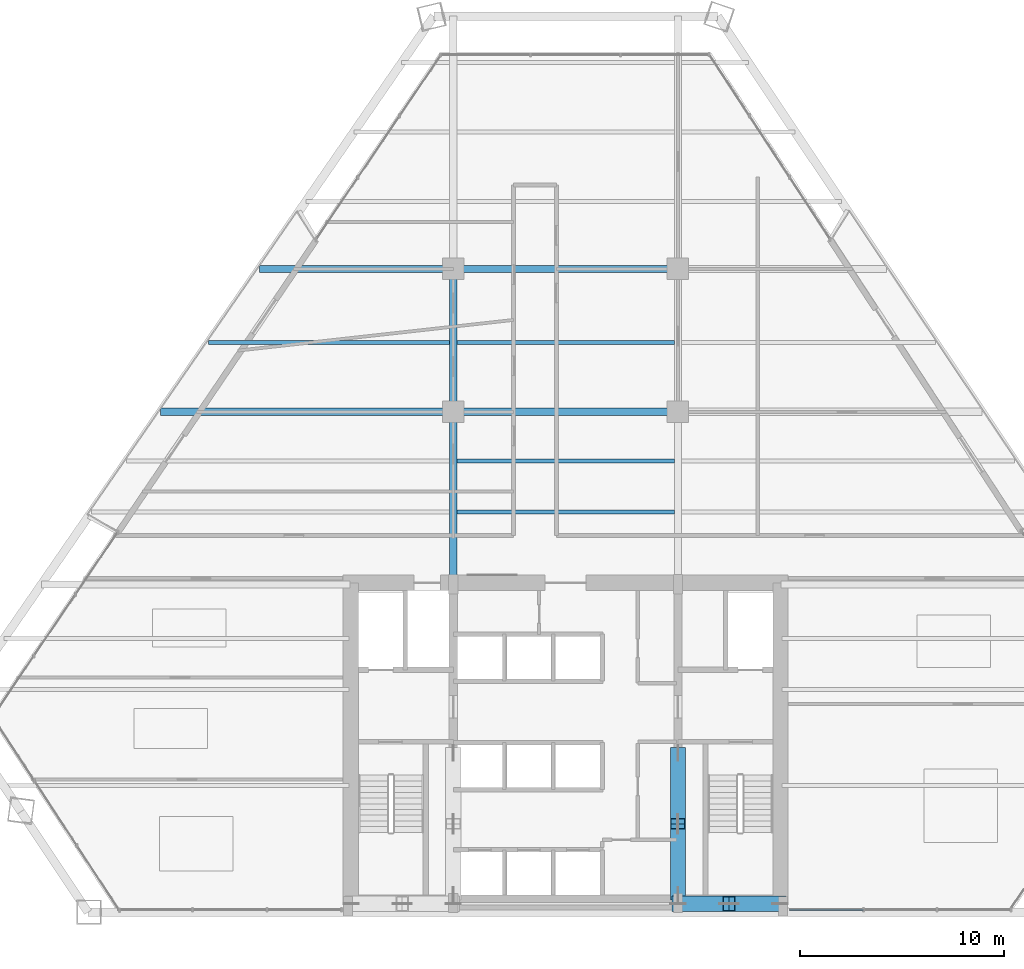
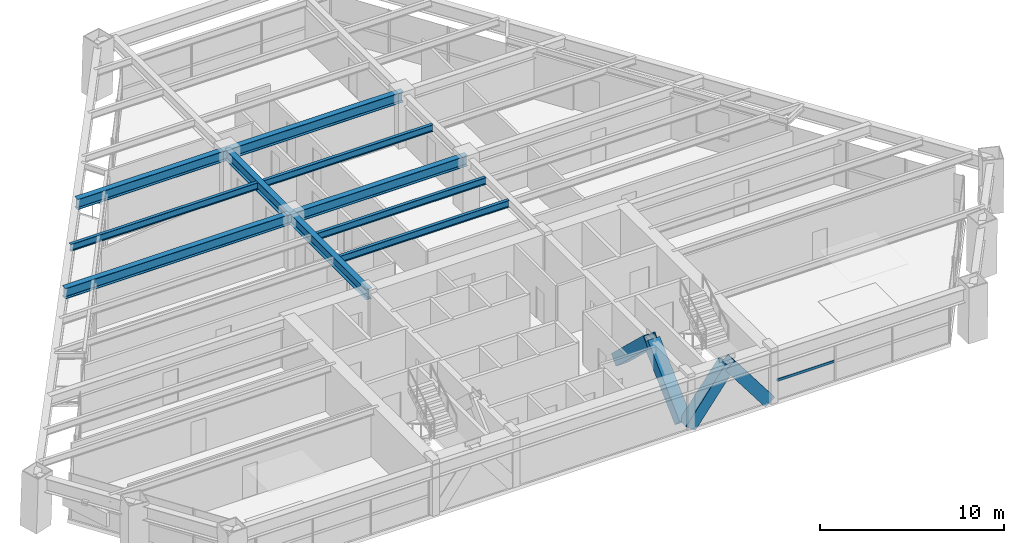
# One storey, part 5 of 14: 10 beams, 5 members, 1 element without a shape of its own.
"""IFC4 building model written with IfcOpenShell, lengths in metres."""

from ifc_helpers import new_model, si_unit, direction, frame, origin, origin_2d, place, context, subcontext, project, spatial, rectangle, hollow_rectangle, i_section, extrude, source, transform, mapped, material, material_profile, profile_set, type_object, type_shapes, element, aggregate, save


model = new_model("IFC4")

# Units and contexts
model_context = context("Model", 3, precision=1e-05, world=origin(), true_north=direction((0.0, 1.0)))
body_context = subcontext(model_context, "Body", "Model", "MODEL_VIEW")
ifc_project = project(units=[si_unit("LENGTHUNIT", "METRE"), si_unit("AREAUNIT", "SQUARE_METRE"), si_unit("VOLUMEUNIT", "CUBIC_METRE"), si_unit("PLANEANGLEUNIT", "RADIAN"), si_unit("MASSUNIT", "GRAM", prefix="KILO")], contexts=[model_context])

# Site, building, storey
site_placement = place(None, origin())
site = spatial("IfcSite", under=ifc_project, at=site_placement, CompositionType="ELEMENT")
building_placement = place(site_placement, origin())
building = spatial("IfcBuilding", under=site, at=building_placement, Name="Varnakhor Terracotta Tower", CompositionType="ELEMENT")
storey_placement = place(building_placement, frame((0.0, 0.0, 76.60009765625)))
storey = spatial("IfcBuildingStorey", under=building, at=storey_placement, Name="L18", CompositionType="ELEMENT", Elevation=76.60009765625)

# Beams
ifc_material_1 = material(Name="Steel S355", Category="steel")
ifc_material_profile_1 = material_profile(ifc_material_1, i_section(OverallWidth=0.35498046875, OverallDepth=0.695068359375, WebThickness=0.014892578125, FlangeThickness=0.02490234375, FilletRadius=0.01806640625, at=origin_2d()), Name="W27X146")
ifc_profile_set_1 = profile_set([ifc_material_profile_1], Name="Steel S355")
beam_type_1 = type_object("IfcBeamType", Name="BM-W27X146", PredefinedType="BEAM", material=ifc_profile_set_1)
shared_shape_1 = source(origin(), body_context, "Body", "SweptSolid", [
    extrude(i_section(OverallWidth=0.35498046875, OverallDepth=0.695068359375, WebThickness=0.014892578125, FlangeThickness=0.02490234375, FilletRadius=0.01806640625, at=origin_2d()), origin(), (0.0, 0.0, 1.0), 8.449951171875),
])
type_shapes(beam_type_1, [shared_shape_1])
beam_1_placement = place(storey_placement, frame((-5.5, 16.050048828125, 3.102294921875), z_axis=(0.0, 1.0, 0.0), x_axis=(-1.0, 0.0, 0.0)))
element("IfcBeam", 1, at=beam_1_placement, inside=storey, type_object=beam_type_1, Name="L18 Primary Girder NS1-W", PredefinedType="BEAM", context=body_context, shape_type="MappedRepresentation", body=[
    mapped(shared_shape_1, transform((0.0, 0.0, 0.0), scale=1.0)),
])
shared_shape_2 = source(origin(), body_context, "Body", "SweptSolid", [
    extrude(i_section(OverallWidth=0.35498046875, OverallDepth=0.695068359375, WebThickness=0.014892578125, FlangeThickness=0.02490234375, FilletRadius=0.01806640625, at=origin_2d()), origin(), (0.0, 0.0, 1.0), 7.0),
])
beam_2_placement = place(storey_placement, frame((-5.5, 24.5, 3.102294921875), z_axis=(0.0, 1.0, 0.0), x_axis=(-1.0, 0.0, 0.0)))
element("IfcBeam", 2, at=beam_2_placement, inside=storey, type_object=beam_type_1, Name="L18 Primary Girder NS2-W", PredefinedType="BEAM", context=body_context, shape_type="MappedRepresentation", body=[
    mapped(shared_shape_2, transform((0.0, 0.0, 0.0), scale=1.0)),
])
shared_shape_3 = source(origin(), body_context, "Body", "SweptSolid", [
    extrude(i_section(OverallWidth=0.35498046875, OverallDepth=0.695068359375, WebThickness=0.014892578125, FlangeThickness=0.02490234375, FilletRadius=0.01806640625, at=origin_2d()), origin(), (0.0, 0.0, 1.0), 11.0),
])
for number, where, z_axis, x_axis, name in (
    (3, (-5.5, 24.5, 3.102294921875), (1.0, 0.0, 0.0), (0.0, 1.0, 0.0), "L18 Primary Girder EW2-2"),
    (4, (-5.5, 31.5, 3.102294921875), (1.0, 0.0, 0.0), (0.0, 1.0, 0.0), "L18 Primary Girder EW3-2"),
):
    element("IfcBeam", number, at=place(storey_placement, frame(where, z_axis=z_axis, x_axis=x_axis)), inside=storey, type_object=beam_type_1, Name=name, PredefinedType="BEAM", context=body_context, shape_type="MappedRepresentation", body=[
        mapped(shared_shape_3, transform((0.0, 0.0, 0.0), scale=1.0)),
    ])
ifc_material_profile_2 = material_profile(ifc_material_1, i_section(OverallWidth=0.19189453125, OverallDepth=0.462890625, WebThickness=0.010498046875, FlangeThickness=0.017578125, FilletRadius=0.01806640625, at=origin_2d()), Name="W18X60")
ifc_profile_set_2 = profile_set([ifc_material_profile_2], Name="Steel S355")
beam_type_2 = type_object("IfcBeamType", Name="JST-W18X60", PredefinedType="JOIST", material=ifc_profile_set_2)
shared_shape_4 = source(origin(), body_context, "Body", "SweptSolid", [
    extrude(i_section(OverallWidth=0.19189453125, OverallDepth=0.462890625, WebThickness=0.010498046875, FlangeThickness=0.017578125, FilletRadius=0.01806640625, at=origin_2d()), origin(), (0.0, 0.0, 1.0), 10.65283203125),
])
for number, where, z_axis, x_axis, name in (
    (5, (-5.326416015625, 19.60009765625, 3.218505859375), (1.0, 0.0, 0.0), (0.0, 1.0, 0.0), "L18 Composite Floor Joist 4-2"),
    (6, (-5.326416015625, 22.10009765625, 3.218505859375), (1.0, 0.0, 0.0), (0.0, 1.0, 0.0), "L18 Composite Floor Joist 5-2"),
    (7, (-5.326416015625, 27.89990234375, 3.218505859375), (1.0, 0.0, 0.0), (0.0, 1.0, 0.0), "L18 Composite Floor Joist 6-2"),
):
    element("IfcBeam", number, at=place(storey_placement, frame(where, z_axis=z_axis, x_axis=x_axis)), inside=storey, type_object=beam_type_2, Name=name, PredefinedType="JOIST", context=body_context, shape_type="MappedRepresentation", body=[
        mapped(shared_shape_4, transform((0.0, 0.0, 0.0), scale=1.0)),
    ])

# Members
ifc_material_2 = material(Name="Steel S460", Category="steel")
ifc_material_profile_3 = material_profile(ifc_material_2, hollow_rectangle(XDim=0.75, YDim=0.75, WallThickness=0.044921875, at=origin_2d()), Name="HSS750X750X45")
ifc_profile_set_3 = profile_set([ifc_material_profile_3], Name="Steel S460")
member_type_1 = type_object("IfcMemberType", Name="MBR-MEGA-750", PredefinedType="BRACE", material=ifc_profile_set_3)
shared_shape_5 = source(origin(), body_context, "Body", "SweptSolid", [
    extrude(hollow_rectangle(XDim=0.75, YDim=0.75, WallThickness=0.044921875, at=origin_2d()), origin(), (0.0, 0.0, 1.0), 4.792236328125),
])
member_1_placement = place(storey_placement, frame((5.5, 7.800048828125, 0.0), z_axis=(0.0, -0.72515968173, 0.688580740359), x_axis=(1.0, 0.0, 0.0)))
element("IfcMember", 8, at=member_1_placement, inside=storey, type_object=member_type_1, Name="L18 Core Coupled Brace CWEB", PredefinedType="BRACE", context=body_context, shape_type="MappedRepresentation", body=[
    mapped(shared_shape_5, transform((0.0, 0.0, 0.0), scale=1.0)),
])
shared_shape_6 = source(origin(), body_context, "Body", "SweptSolid", [
    extrude(hollow_rectangle(XDim=0.75, YDim=0.75, WallThickness=0.044921875, at=origin_2d()), origin(), (0.0, 0.0, 1.0), 4.139892578125),
])
for number, where, z_axis, x_axis, name in (
    (9, (5.5, 0.419921875, 0.0), (0.603880396023, 0.0, 0.797074944594), (0.0, 1.0, 0.0), "L18 Core Coupled Brace CSEA"),
    (10, (10.5, 0.419921875, 0.0), (-0.603880396023, 0.0, 0.797074944594), (0.0, -1.0, 0.0), "L18 Core Coupled Brace CSEB"),
):
    element("IfcMember", number, at=place(storey_placement, frame(where, z_axis=z_axis, x_axis=x_axis)), inside=storey, type_object=member_type_1, Name=name, PredefinedType="BRACE", context=body_context, shape_type="MappedRepresentation", body=[
        mapped(shared_shape_6, transform((0.0, 0.0, 0.0), scale=1.0)),
    ])
shared_shape_7 = source(origin(), body_context, "Body", "SweptSolid", [
    extrude(hollow_rectangle(XDim=0.75, YDim=0.75, WallThickness=0.044921875, at=origin_2d()), origin(), (0.0, 0.0, 1.0), 4.7919921875),
])
member_2_placement = place(storey_placement, frame((5.5, 0.85009765625, 0.0), z_axis=(0.0, 0.725135524869, 0.688606179592), x_axis=(-1.0, 0.0, 0.0)))
element("IfcMember", 11, at=member_2_placement, inside=storey, type_object=member_type_1, Name="L18 Core Coupled Brace CWEA", PredefinedType="BRACE", context=body_context, shape_type="MappedRepresentation", body=[
    mapped(shared_shape_7, transform((0.0, 0.0, 0.0), scale=1.0)),
])

# Beams
shared_shape_8 = source(origin(), body_context, "Body", "SweptSolid", [
    extrude(i_section(OverallWidth=0.35498046875, OverallDepth=0.695068359375, WebThickness=0.014892578125, FlangeThickness=0.02490234375, FilletRadius=0.01806640625, at=origin_2d()), origin(), (0.0, 0.0, 1.0), 14.33203125),
])
beam_3_placement = place(storey_placement, frame((-19.83203125, 24.5, 3.102294921875), z_axis=(1.0, 0.0, 0.0), x_axis=(0.0, 1.0, 0.0)))
element("IfcBeam", 12, at=beam_3_placement, inside=storey, type_object=beam_type_1, Name="L18 Primary Girder EW2-1", PredefinedType="BEAM", context=body_context, shape_type="MappedRepresentation", body=[
    mapped(shared_shape_8, transform((0.0, 0.0, 0.0), scale=1.0)),
])
shared_shape_9 = source(origin(), body_context, "Body", "SweptSolid", [
    extrude(i_section(OverallWidth=0.35498046875, OverallDepth=0.695068359375, WebThickness=0.014892578125, FlangeThickness=0.02490234375, FilletRadius=0.01806640625, at=origin_2d()), origin(), (0.0, 0.0, 1.0), 9.498779296875),
])
beam_4_placement = place(storey_placement, frame((-14.998779296875, 31.5, 3.102294921875), z_axis=(1.0, 0.0, 0.0), x_axis=(0.0, 1.0, 0.0)))
element("IfcBeam", 13, at=beam_4_placement, inside=storey, type_object=beam_type_1, Name="L18 Primary Girder EW3-1", PredefinedType="BEAM", context=body_context, shape_type="MappedRepresentation", body=[
    mapped(shared_shape_9, transform((0.0, 0.0, 0.0), scale=1.0)),
])
shared_shape_10 = source(origin(), body_context, "Body", "SweptSolid", [
    extrude(i_section(OverallWidth=0.19189453125, OverallDepth=0.462890625, WebThickness=0.010498046875, FlangeThickness=0.017578125, FilletRadius=0.01806640625, at=origin_2d()), origin(), (0.0, 0.0, 1.0), 11.81103515625),
])
beam_5_placement = place(storey_placement, frame((-17.484619140625, 27.89990234375, 3.218505859375), z_axis=(1.0, 0.0, 0.0), x_axis=(0.0, 1.0, 0.0)))
element("IfcBeam", 14, at=beam_5_placement, inside=storey, type_object=beam_type_2, Name="L18 Composite Floor Joist 6-1", PredefinedType="JOIST", context=body_context, shape_type="MappedRepresentation", body=[
    mapped(shared_shape_10, transform((0.0, 0.0, 0.0), scale=1.0)),
])

# Curtain wall, member
ifc_material_3 = material(Name="Anodised Aluminium Curtain Wall System", Category="aluminium")
curtain_wall_type = type_object("IfcCurtainWallType", Name="CW-SYS-LOW-OFFICE", PredefinedType="NOTDEFINED", material=ifc_material_3)
curtain_wall_placement = place(storey_placement, origin())
curtain_wall = element("IfcCurtainWall", 15, at=curtain_wall_placement, inside=storey, type_object=curtain_wall_type, Name="L18 South Wing Curtain Wall SSE", PredefinedType="NOTDEFINED")
ifc_material_4 = material(Name="Anodised Aluminium 6063-T6", Category="aluminium")
ifc_material_profile_4 = material_profile(ifc_material_4, rectangle(XDim=0.074951171875, YDim=0.1650390625, at=origin_2d()), Name="ALU TRANSOM 75x165")
ifc_profile_set_4 = profile_set([ifc_material_profile_4], Name="Anodised Aluminium 6063-T6")
member_type_2 = type_object("IfcMemberType", Name="CWT-02", PredefinedType="USERDEFINED", material=ifc_profile_set_4)
shared_shape_11 = source(origin(), body_context, "Body", "SweptSolid", [
    extrude(rectangle(XDim=0.074951171875, YDim=0.1650390625, at=origin_2d()), origin(), (0.0, 0.0, 1.0), 3.61181640625),
])
member_3_placement = place(storey_placement, frame((14.581787109375, 0.1201171875, 1.2724609375), z_axis=(-1.0, 0.0, 0.0), x_axis=(0.0, -1.0, 0.0)))
member_3 = element("IfcMember", 16, at=member_3_placement, type_object=member_type_2, Name="L18 South Wing Curtain Wall SSE Transom 3", ObjectType="TRANSOM", PredefinedType="USERDEFINED", context=body_context, shape_type="MappedRepresentation", body=[
    mapped(shared_shape_11, transform((0.0, 0.0, 0.0), scale=1.0)),
])
aggregate(curtain_wall, [member_3])

save(model, "model.ifc")
